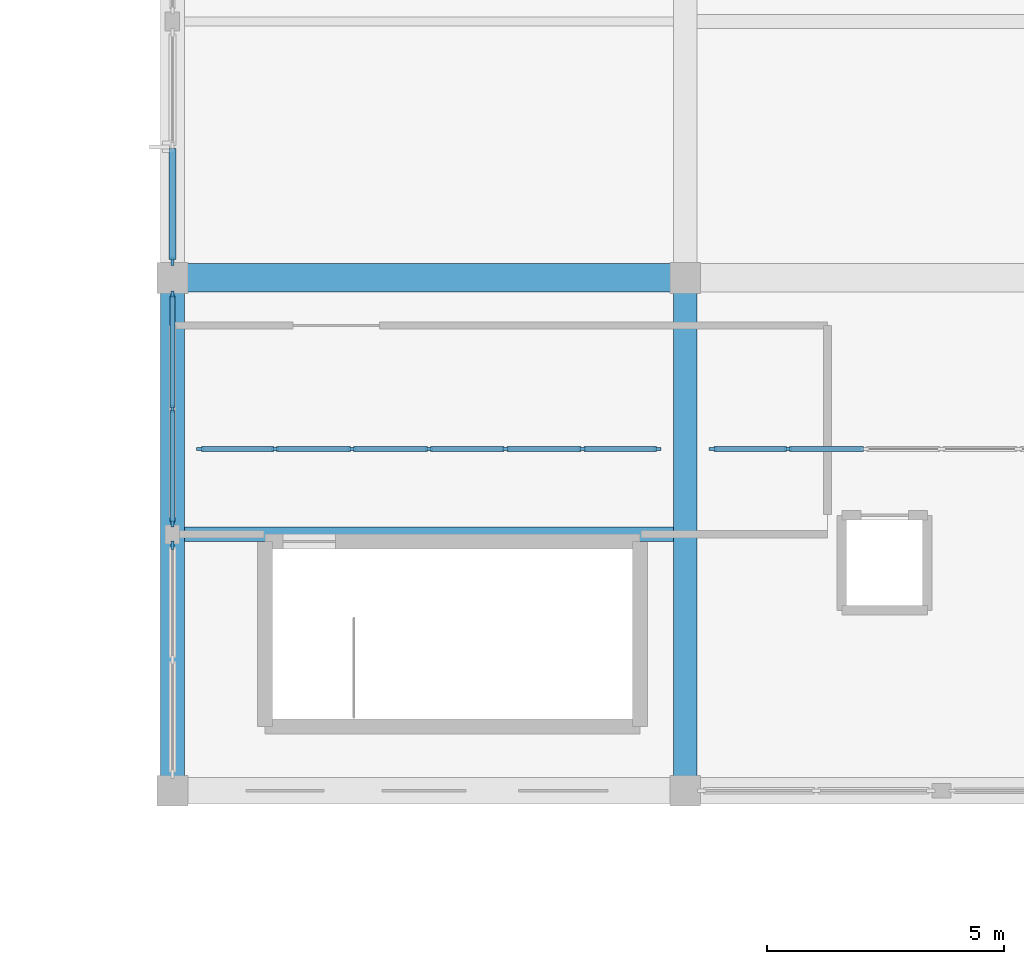
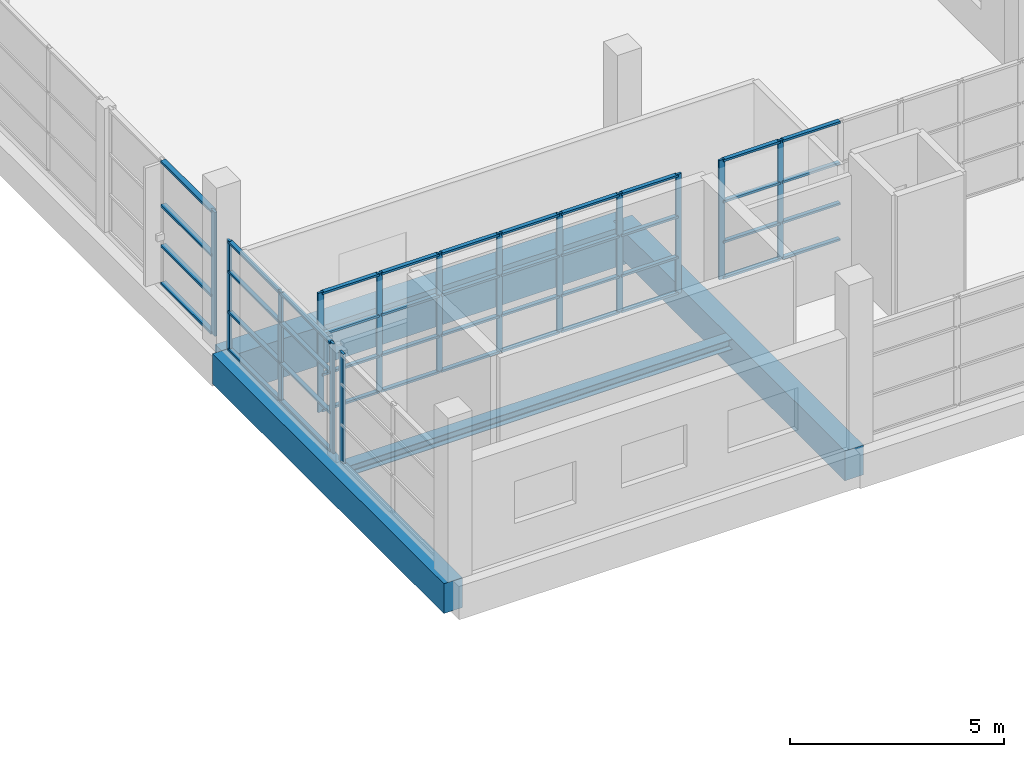
# One storey, part 23 of 142: 58 members, 4 beams, 5 elements without a shape of their own.
"""IFC4 building model written with IfcOpenShell, lengths in metres."""

from ifc_helpers import new_model, si_unit, direction, frame, origin, origin_2d, place, context, subcontext, project, spatial, rectangle, i_section, extrude, material, material_profile, profile_set, type_object, element, aggregate, save


model = new_model("IFC4")

# Units and contexts
model_context = context("Model", 3, precision=1e-05, world=origin(), true_north=direction((0.0, 1.0)))
body_context = subcontext(model_context, "Body", "Model", "MODEL_VIEW")
ifc_project = project(units=[si_unit("LENGTHUNIT", "METRE"), si_unit("AREAUNIT", "SQUARE_METRE"), si_unit("VOLUMEUNIT", "CUBIC_METRE"), si_unit("PLANEANGLEUNIT", "RADIAN"), si_unit("MASSUNIT", "GRAM", prefix="KILO")], contexts=[model_context])

# Site, building, storey
site_placement = place(None, origin())
site = spatial("IfcSite", under=ifc_project, at=site_placement, CompositionType="ELEMENT")
building_placement = place(site_placement, origin())
building = spatial("IfcBuilding", under=site, at=building_placement, Name="Zwinboog Wholesale Market", CompositionType="ELEMENT")
storey_placement = place(building_placement, frame((0.0, 0.0, 5.39990234375)))
storey = spatial("IfcBuildingStorey", under=building, at=storey_placement, Name="L01", CompositionType="ELEMENT", Elevation=5.39990234375)

# Beams
ifc_material_1 = material(Name="Precast concrete C45/55", Category="concrete")
ifc_material_profile_1 = material_profile(ifc_material_1, rectangle(XDim=0.60009765625, YDim=1.10009765625, at=origin_2d()), Name="PC 600x1100")
ifc_profile_set_1 = profile_set([ifc_material_profile_1], Name="Precast concrete C45/55")
beam_type_1 = type_object("IfcBeamType", Name="BT-01", PredefinedType="BEAM", material=ifc_profile_set_1)
beam_1_placement = place(storey_placement, frame((64.800048828125, 54.0, -0.804931640625), z_axis=(1.0, 0.0, 0.0), x_axis=(0.0, 1.0, 0.0)))
element("IfcBeam", 1, at=beam_1_placement, inside=storey, type_object=beam_type_1, Name="BG-01 (BMG-L01-0648-0540-0479)", PredefinedType="BEAM", context=body_context, shape_type="SweptSolid", body=[
    extrude(rectangle(XDim=0.60009765625, YDim=1.10009765625, at=origin_2d()), origin(), (0.0, 0.0, 1.0), 10.800048828125),
])
ifc_material_profile_2 = material_profile(ifc_material_1, rectangle(XDim=0.5, YDim=0.85009765625, at=origin_2d()), Name="PC 500x850")
ifc_profile_set_2 = profile_set([ifc_material_profile_2], Name="Precast concrete C45/55")
beam_type_2 = type_object("IfcBeamType", Name="BT-03", PredefinedType="BEAM", material=ifc_profile_set_2)
for number, where, z_axis, x_axis, name in (
    (2, (64.800048828125, 43.199951171875, -0.679931640625), (0.0, 1.0, 0.0), (-1.0, 0.0, 0.0), "BG-03 (BMG-L01-0648-0432-0665)"),
    (3, (75.60009765625, 43.199951171875, -0.679931640625), (0.0, 1.0, 0.0), (-1.0, 0.0, 0.0), "BG-03 (BMG-L01-0756-0432-0673)"),
):
    element("IfcBeam", number, at=place(storey_placement, frame(where, z_axis=z_axis, x_axis=x_axis)), inside=storey, type_object=beam_type_2, Name=name, PredefinedType="BEAM", context=body_context, shape_type="SweptSolid", body=[
        extrude(rectangle(XDim=0.5, YDim=0.85009765625, at=origin_2d()), origin(), (0.0, 0.0, 1.0), 10.800048828125),
    ])
ifc_material_2 = material(Name="Steel S355", Category="steel")
ifc_material_profile_3 = material_profile(ifc_material_2, i_section(OverallWidth=0.300048828125, OverallDepth=0.2900390625, WebThickness=0.008544921875, FlangeThickness=0.013916015625, FilletRadius=0.027099609375, at=origin_2d()), Name="HEA 300")
ifc_profile_set_3 = profile_set([ifc_material_profile_3], Name="Steel S355")
beam_type_3 = type_object("IfcBeamType", Name="BT-18", PredefinedType="JOIST", material=ifc_profile_set_3)
beam_2_placement = place(storey_placement, frame((65.050048828125, 48.60009765625, -0.39990234375), z_axis=(1.0, 0.0, 0.0), x_axis=(0.0, 1.0, 0.0)))
element("IfcBeam", 4, at=beam_2_placement, inside=storey, type_object=beam_type_3, Name="SJ-01 (BMG-L01-0650-0486-0817)", PredefinedType="JOIST", context=body_context, shape_type="SweptSolid", body=[
    extrude(i_section(OverallWidth=0.300048828125, OverallDepth=0.2900390625, WebThickness=0.008544921875, FlangeThickness=0.013916015625, FilletRadius=0.027099609375, at=origin_2d()), origin(), (0.0, 0.0, 1.0), 10.300048828125),
])

# Curtain wall, member
ifc_material_3 = material(Name="Aluminium thermally broken curtain wall", Category="aluminium")
curtain_wall_type_1 = type_object("IfcCurtainWallType", Name="CWT-STALL-18", PredefinedType="USERDEFINED", material=ifc_material_3)
curtain_wall_1_placement = place(storey_placement, origin())
curtain_wall_1 = element("IfcCurtainWall", 5, at=curtain_wall_1_placement, inside=storey, type_object=curtain_wall_type_1, Name="CW-01 (CW-L01-085)", ObjectType="STOREFRONT_GLAZING", PredefinedType="USERDEFINED")
ifc_material_4 = material(Name="Aluminium EN AW-6060", Category="aluminium")
ifc_material_profile_4 = material_profile(ifc_material_4, rectangle(XDim=0.06494140625, YDim=0.179931640625, at=origin_2d()), Name="AL 65x180")
ifc_profile_set_4 = profile_set([ifc_material_profile_4], Name="Aluminium EN AW-6060")
member_type_1 = type_object("IfcMemberType", Name="CWM-65x180", PredefinedType="MULLION", material=ifc_profile_set_4)
member_1_placement = place(storey_placement, frame((64.800048828125, 48.367431640625, 0.0), z_axis=(0.0, 0.0, 1.0), x_axis=(-1.0, 0.0, 0.0)))
member_1 = element("IfcMember", 6, at=member_1_placement, type_object=member_type_1, Name="CW-01 mullion 3", PredefinedType="MULLION", context=body_context, shape_type="SweptSolid", body=[
    extrude(rectangle(XDim=0.06494140625, YDim=0.179931640625, at=origin_2d()), origin(), (0.0, 0.0, 1.0), 3.1201171875),
])
aggregate(curtain_wall_1, [member_1])

curtain_wall_type_2 = type_object("IfcCurtainWallType", Name="CWT-HALL-24", PredefinedType="USERDEFINED", material=ifc_material_3)
curtain_wall_2_placement = place(storey_placement, origin())
curtain_wall_2 = element("IfcCurtainWall", 7, at=curtain_wall_2_placement, inside=storey, type_object=curtain_wall_type_2, Name="CW-03 (CW-L01-087)", ObjectType="UNITIZED_CURTAIN_WALL", PredefinedType="USERDEFINED")
member_2_placement = place(storey_placement, frame((64.800048828125, 54.3525390625, 0.0), z_axis=(0.0, 0.0, 1.0), x_axis=(-1.0, 0.0, 0.0)))
member_2 = element("IfcMember", 8, at=member_2_placement, type_object=member_type_1, Name="CW-03 mullion 1", PredefinedType="MULLION", context=body_context, shape_type="SweptSolid", body=[
    extrude(rectangle(XDim=0.06494140625, YDim=0.179931640625, at=origin_2d()), origin(), (0.0, 0.0, 1.0), 3.530029296875),
])

# Curtain wall, members
curtain_wall_type_3 = type_object("IfcCurtainWallType", Name="CWT-STALL-20", PredefinedType="USERDEFINED", material=ifc_material_3)
curtain_wall_3_placement = place(storey_placement, origin())
curtain_wall_3 = element("IfcCurtainWall", 9, at=curtain_wall_3_placement, inside=storey, type_object=curtain_wall_type_3, Name="CW-02 (CW-L01-086)", ObjectType="STOREFRONT_GLAZING", PredefinedType="USERDEFINED")
ifc_material_profile_5 = material_profile(ifc_material_4, rectangle(XDim=0.06005859375, YDim=0.14990234375, at=origin_2d()), Name="AL 60x150")
ifc_profile_set_5 = profile_set([ifc_material_profile_5], Name="Aluminium EN AW-6060")
member_type_2 = type_object("IfcMemberType", Name="CWM-60x150", PredefinedType="MULLION", material=ifc_profile_set_5)
member_3_placement = place(storey_placement, frame((64.800048828125, 48.830078125, 0.0), z_axis=(0.0, 0.0, 1.0), x_axis=(-1.0, 0.0, 0.0)))
member_3 = element("IfcMember", 10, at=member_3_placement, type_object=member_type_2, Name="CW-02 mullion 1", PredefinedType="MULLION", context=body_context, shape_type="SweptSolid", body=[
    extrude(rectangle(XDim=0.06005859375, YDim=0.14990234375, at=origin_2d()), origin(), (0.0, 0.0, 1.0), 3.1201171875),
])
member_4_placement = place(storey_placement, frame((64.800048828125, 51.239990234375, 0.0), z_axis=(0.0, 0.0, 1.0), x_axis=(-1.0, 0.0, 0.0)))
member_4 = element("IfcMember", 11, at=member_4_placement, type_object=member_type_2, Name="CW-02 mullion 2", PredefinedType="MULLION", context=body_context, shape_type="SweptSolid", body=[
    extrude(rectangle(XDim=0.06005859375, YDim=0.14990234375, at=origin_2d()), origin(), (0.0, 0.0, 1.0), 3.1201171875),
])
member_5_placement = place(storey_placement, frame((64.800048828125, 53.64990234375, 0.0), z_axis=(0.0, 0.0, 1.0), x_axis=(-1.0, 0.0, 0.0)))
member_5 = element("IfcMember", 12, at=member_5_placement, type_object=member_type_2, Name="CW-02 mullion 3", PredefinedType="MULLION", context=body_context, shape_type="SweptSolid", body=[
    extrude(rectangle(XDim=0.06005859375, YDim=0.14990234375, at=origin_2d()), origin(), (0.0, 0.0, 1.0), 3.1201171875),
])

# Member
ifc_material_profile_6 = material_profile(ifc_material_4, rectangle(XDim=0.139892578125, YDim=0.06494140625, at=origin_2d()), Name="AL 65x140")
ifc_profile_set_6 = profile_set([ifc_material_profile_6], Name="Aluminium EN AW-6060")
member_type_3 = type_object("IfcMemberType", Name="CWT-65x140", PredefinedType="USERDEFINED", material=ifc_profile_set_6)
member_6_placement = place(storey_placement, frame((64.800048828125, 54.385009765625, 0.03271484375), z_axis=(0.0, 1.0, 0.0), x_axis=(-1.0, 0.0, 0.0)))
member_6 = element("IfcMember", 13, at=member_6_placement, type_object=member_type_3, Name="CW-03 transom 1.1", ObjectType="TRANSOM", PredefinedType="USERDEFINED", context=body_context, shape_type="SweptSolid", body=[
    extrude(rectangle(XDim=0.139892578125, YDim=0.06494140625, at=origin_2d()), origin(), (0.0, 0.0, 1.0), 2.342529296875),
])

member_7_placement = place(storey_placement, frame((64.800048828125, 54.385009765625, 1.10009765625), z_axis=(0.0, 1.0, 0.0), x_axis=(-1.0, 0.0, 0.0)))
member_7 = element("IfcMember", 14, at=member_7_placement, type_object=member_type_3, Name="CW-03 transom 1.2", ObjectType="TRANSOM", PredefinedType="USERDEFINED", context=body_context, shape_type="SweptSolid", body=[
    extrude(rectangle(XDim=0.139892578125, YDim=0.06494140625, at=origin_2d()), origin(), (0.0, 0.0, 1.0), 2.342529296875),
])

member_8_placement = place(storey_placement, frame((64.800048828125, 54.385009765625, 2.25), z_axis=(0.0, 1.0, 0.0), x_axis=(-1.0, 0.0, 0.0)))
member_8 = element("IfcMember", 15, at=member_8_placement, type_object=member_type_3, Name="CW-03 transom 1.3", ObjectType="TRANSOM", PredefinedType="USERDEFINED", context=body_context, shape_type="SweptSolid", body=[
    extrude(rectangle(XDim=0.139892578125, YDim=0.06494140625, at=origin_2d()), origin(), (0.0, 0.0, 1.0), 2.342529296875),
])

member_9_placement = place(storey_placement, frame((64.800048828125, 54.385009765625, 3.49755859375), z_axis=(0.0, 1.0, 0.0), x_axis=(-1.0, 0.0, 0.0)))
member_9 = element("IfcMember", 16, at=member_9_placement, type_object=member_type_3, Name="CW-03 transom 1.4", ObjectType="TRANSOM", PredefinedType="USERDEFINED", context=body_context, shape_type="SweptSolid", body=[
    extrude(rectangle(XDim=0.139892578125, YDim=0.06494140625, at=origin_2d()), origin(), (0.0, 0.0, 1.0), 2.342529296875),
])

aggregate(curtain_wall_2, [member_2, member_6, member_7, member_8, member_9])

ifc_material_profile_7 = material_profile(ifc_material_4, rectangle(XDim=0.110107421875, YDim=0.06005859375, at=origin_2d()), Name="AL 60x110")
ifc_profile_set_7 = profile_set([ifc_material_profile_7], Name="Aluminium EN AW-6060")
member_type_4 = type_object("IfcMemberType", Name="CWT-60x110", PredefinedType="USERDEFINED", material=ifc_profile_set_7)
member_10_placement = place(storey_placement, frame((64.800048828125, 48.860107421875, 0.030029296875), z_axis=(0.0, 1.0, 0.0), x_axis=(-1.0, 0.0, 0.0)))
member_10 = element("IfcMember", 17, at=member_10_placement, type_object=member_type_4, Name="CW-02 transom 1.1", ObjectType="TRANSOM", PredefinedType="USERDEFINED", context=body_context, shape_type="SweptSolid", body=[
    extrude(rectangle(XDim=0.110107421875, YDim=0.06005859375, at=origin_2d()), origin(), (0.0, 0.0, 1.0), 2.349853515625),
])

member_11_placement = place(storey_placement, frame((64.800048828125, 48.860107421875, 1.10009765625), z_axis=(0.0, 1.0, 0.0), x_axis=(-1.0, 0.0, 0.0)))
member_11 = element("IfcMember", 18, at=member_11_placement, type_object=member_type_4, Name="CW-02 transom 1.2", ObjectType="TRANSOM", PredefinedType="USERDEFINED", context=body_context, shape_type="SweptSolid", body=[
    extrude(rectangle(XDim=0.110107421875, YDim=0.06005859375, at=origin_2d()), origin(), (0.0, 0.0, 1.0), 2.349853515625),
])

member_12_placement = place(storey_placement, frame((64.800048828125, 48.860107421875, 2.25), z_axis=(0.0, 1.0, 0.0), x_axis=(-1.0, 0.0, 0.0)))
member_12 = element("IfcMember", 19, at=member_12_placement, type_object=member_type_4, Name="CW-02 transom 1.3", ObjectType="TRANSOM", PredefinedType="USERDEFINED", context=body_context, shape_type="SweptSolid", body=[
    extrude(rectangle(XDim=0.110107421875, YDim=0.06005859375, at=origin_2d()), origin(), (0.0, 0.0, 1.0), 2.349853515625),
])

member_13_placement = place(storey_placement, frame((64.800048828125, 48.860107421875, 3.090087890625), z_axis=(0.0, 1.0, 0.0), x_axis=(-1.0, 0.0, 0.0)))
member_13 = element("IfcMember", 20, at=member_13_placement, type_object=member_type_4, Name="CW-02 transom 1.4", ObjectType="TRANSOM", PredefinedType="USERDEFINED", context=body_context, shape_type="SweptSolid", body=[
    extrude(rectangle(XDim=0.110107421875, YDim=0.06005859375, at=origin_2d()), origin(), (0.0, 0.0, 1.0), 2.349853515625),
])

member_14_placement = place(storey_placement, frame((64.800048828125, 51.27001953125, 0.030029296875), z_axis=(0.0, 1.0, 0.0), x_axis=(-1.0, 0.0, 0.0)))
member_14 = element("IfcMember", 21, at=member_14_placement, type_object=member_type_4, Name="CW-02 transom 2.1", ObjectType="TRANSOM", PredefinedType="USERDEFINED", context=body_context, shape_type="SweptSolid", body=[
    extrude(rectangle(XDim=0.110107421875, YDim=0.06005859375, at=origin_2d()), origin(), (0.0, 0.0, 1.0), 2.35009765625),
])

member_15_placement = place(storey_placement, frame((64.800048828125, 51.27001953125, 1.10009765625), z_axis=(0.0, 1.0, 0.0), x_axis=(-1.0, 0.0, 0.0)))
member_15 = element("IfcMember", 22, at=member_15_placement, type_object=member_type_4, Name="CW-02 transom 2.2", ObjectType="TRANSOM", PredefinedType="USERDEFINED", context=body_context, shape_type="SweptSolid", body=[
    extrude(rectangle(XDim=0.110107421875, YDim=0.06005859375, at=origin_2d()), origin(), (0.0, 0.0, 1.0), 2.35009765625),
])

member_16_placement = place(storey_placement, frame((64.800048828125, 51.27001953125, 2.25), z_axis=(0.0, 1.0, 0.0), x_axis=(-1.0, 0.0, 0.0)))
member_16 = element("IfcMember", 23, at=member_16_placement, type_object=member_type_4, Name="CW-02 transom 2.3", ObjectType="TRANSOM", PredefinedType="USERDEFINED", context=body_context, shape_type="SweptSolid", body=[
    extrude(rectangle(XDim=0.110107421875, YDim=0.06005859375, at=origin_2d()), origin(), (0.0, 0.0, 1.0), 2.35009765625),
])

member_17_placement = place(storey_placement, frame((64.800048828125, 51.27001953125, 3.090087890625), z_axis=(0.0, 1.0, 0.0), x_axis=(-1.0, 0.0, 0.0)))
member_17 = element("IfcMember", 24, at=member_17_placement, type_object=member_type_4, Name="CW-02 transom 2.4", ObjectType="TRANSOM", PredefinedType="USERDEFINED", context=body_context, shape_type="SweptSolid", body=[
    extrude(rectangle(XDim=0.110107421875, YDim=0.06005859375, at=origin_2d()), origin(), (0.0, 0.0, 1.0), 2.35009765625),
])

aggregate(curtain_wall_3, [member_3, member_4, member_5, member_10, member_11, member_12, member_13, member_14, member_15, member_16, member_17])

# Curtain wall, members
curtain_wall_type_4 = type_object("IfcCurtainWallType", Name="CWT-INT-STALL", PredefinedType="USERDEFINED", material=ifc_material_3)
curtain_wall_4_placement = place(storey_placement, origin())
curtain_wall_4 = element("IfcCurtainWall", 25, at=curtain_wall_4_placement, inside=storey, type_object=curtain_wall_type_4, Name="CW-07 (CW-STL-225)", ObjectType="STOREFRONT_GLAZING", PredefinedType="USERDEFINED")
ifc_material_profile_8 = material_profile(ifc_material_4, rectangle(XDim=0.06005859375, YDim=0.14990234375, at=origin_2d()), Name="AL 60x150")
ifc_profile_set_8 = profile_set([ifc_material_profile_8], Name="Aluminium EN AW-6060")
member_type_5 = type_object("IfcMemberType", Name="CWM-INT-60x120", PredefinedType="MULLION", material=ifc_profile_set_8)
member_18_placement = place(storey_placement, frame((65.3798828125, 50.39990234375, 0.0), z_axis=(0.0, 0.0, 1.0), x_axis=(0.0, 1.0, 0.0)))
member_18 = element("IfcMember", 26, at=member_18_placement, type_object=member_type_5, Name="CW-07 mullion 1", PredefinedType="MULLION", context=body_context, shape_type="SweptSolid", body=[
    extrude(rectangle(XDim=0.06005859375, YDim=0.14990234375, at=origin_2d()), origin(), (0.0, 0.0, 1.0), 3.400146484375),
])
member_19_placement = place(storey_placement, frame((66.966552734375, 50.39990234375, 0.0), z_axis=(0.0, 0.0, 1.0), x_axis=(0.0, 1.0, 0.0)))
member_19 = element("IfcMember", 27, at=member_19_placement, type_object=member_type_5, Name="CW-07 mullion 2", PredefinedType="MULLION", context=body_context, shape_type="SweptSolid", body=[
    extrude(rectangle(XDim=0.06005859375, YDim=0.14990234375, at=origin_2d()), origin(), (0.0, 0.0, 1.0), 3.400146484375),
])
member_20_placement = place(storey_placement, frame((68.583251953125, 50.39990234375, 0.0), z_axis=(0.0, 0.0, 1.0), x_axis=(0.0, 1.0, 0.0)))
member_20 = element("IfcMember", 28, at=member_20_placement, type_object=member_type_5, Name="CW-07 mullion 3", PredefinedType="MULLION", context=body_context, shape_type="SweptSolid", body=[
    extrude(rectangle(XDim=0.06005859375, YDim=0.14990234375, at=origin_2d()), origin(), (0.0, 0.0, 1.0), 3.400146484375),
])
member_21_placement = place(storey_placement, frame((70.199951171875, 50.39990234375, 0.0), z_axis=(0.0, 0.0, 1.0), x_axis=(0.0, 1.0, 0.0)))
member_21 = element("IfcMember", 29, at=member_21_placement, type_object=member_type_5, Name="CW-07 mullion 4", PredefinedType="MULLION", context=body_context, shape_type="SweptSolid", body=[
    extrude(rectangle(XDim=0.06005859375, YDim=0.14990234375, at=origin_2d()), origin(), (0.0, 0.0, 1.0), 3.400146484375),
])
member_22_placement = place(storey_placement, frame((71.816650390625, 50.39990234375, 0.0), z_axis=(0.0, 0.0, 1.0), x_axis=(0.0, 1.0, 0.0)))
member_22 = element("IfcMember", 30, at=member_22_placement, type_object=member_type_5, Name="CW-07 mullion 5", PredefinedType="MULLION", context=body_context, shape_type="SweptSolid", body=[
    extrude(rectangle(XDim=0.06005859375, YDim=0.14990234375, at=origin_2d()), origin(), (0.0, 0.0, 1.0), 3.400146484375),
])
member_23_placement = place(storey_placement, frame((73.433349609375, 50.39990234375, 0.0), z_axis=(0.0, 0.0, 1.0), x_axis=(0.0, 1.0, 0.0)))
member_23 = element("IfcMember", 31, at=member_23_placement, type_object=member_type_5, Name="CW-07 mullion 6", PredefinedType="MULLION", context=body_context, shape_type="SweptSolid", body=[
    extrude(rectangle(XDim=0.06005859375, YDim=0.14990234375, at=origin_2d()), origin(), (0.0, 0.0, 1.0), 3.400146484375),
])
member_24_placement = place(storey_placement, frame((75.02001953125, 50.39990234375, 0.0), z_axis=(0.0, 0.0, 1.0), x_axis=(0.0, 1.0, 0.0)))
member_24 = element("IfcMember", 32, at=member_24_placement, type_object=member_type_5, Name="CW-07 mullion 7", PredefinedType="MULLION", context=body_context, shape_type="SweptSolid", body=[
    extrude(rectangle(XDim=0.06005859375, YDim=0.14990234375, at=origin_2d()), origin(), (0.0, 0.0, 1.0), 3.400146484375),
])

curtain_wall_5_placement = place(storey_placement, origin())
curtain_wall_5 = element("IfcCurtainWall", 33, at=curtain_wall_5_placement, inside=storey, type_object=curtain_wall_type_4, Name="CW-07 (CW-STL-226)", ObjectType="STOREFRONT_GLAZING", PredefinedType="USERDEFINED")
member_25_placement = place(storey_placement, frame((76.179931640625, 50.39990234375, 0.0), z_axis=(0.0, 0.0, 1.0), x_axis=(0.0, 1.0, 0.0)))
member_25 = element("IfcMember", 34, at=member_25_placement, type_object=member_type_5, Name="CW-07 mullion 1", PredefinedType="MULLION", context=body_context, shape_type="SweptSolid", body=[
    extrude(rectangle(XDim=0.06005859375, YDim=0.14990234375, at=origin_2d()), origin(), (0.0, 0.0, 1.0), 3.400146484375),
])
member_26_placement = place(storey_placement, frame((77.7666015625, 50.39990234375, 0.0), z_axis=(0.0, 0.0, 1.0), x_axis=(0.0, 1.0, 0.0)))
member_26 = element("IfcMember", 35, at=member_26_placement, type_object=member_type_5, Name="CW-07 mullion 2", PredefinedType="MULLION", context=body_context, shape_type="SweptSolid", body=[
    extrude(rectangle(XDim=0.06005859375, YDim=0.14990234375, at=origin_2d()), origin(), (0.0, 0.0, 1.0), 3.400146484375),
])

# Member
ifc_material_profile_9 = material_profile(ifc_material_4, rectangle(XDim=0.110107421875, YDim=0.06005859375, at=origin_2d()), Name="AL 60x110")
ifc_profile_set_9 = profile_set([ifc_material_profile_9], Name="Aluminium EN AW-6060")
member_type_6 = type_object("IfcMemberType", Name="CWT-INT-60x100", PredefinedType="USERDEFINED", material=ifc_profile_set_9)
member_27_placement = place(storey_placement, frame((65.409912109375, 50.39990234375, 0.030029296875), z_axis=(1.0, 0.0, 0.0), x_axis=(0.0, 1.0, 0.0)))
member_27 = element("IfcMember", 36, at=member_27_placement, type_object=member_type_6, Name="CW-07 transom 1.1", ObjectType="TRANSOM", PredefinedType="USERDEFINED", context=body_context, shape_type="SweptSolid", body=[
    extrude(rectangle(XDim=0.110107421875, YDim=0.06005859375, at=origin_2d()), origin(), (0.0, 0.0, 1.0), 1.52685546875),
])

member_28_placement = place(storey_placement, frame((65.409912109375, 50.39990234375, 1.050048828125), z_axis=(1.0, 0.0, 0.0), x_axis=(0.0, 1.0, 0.0)))
member_28 = element("IfcMember", 37, at=member_28_placement, type_object=member_type_6, Name="CW-07 transom 1.2", ObjectType="TRANSOM", PredefinedType="USERDEFINED", context=body_context, shape_type="SweptSolid", body=[
    extrude(rectangle(XDim=0.110107421875, YDim=0.06005859375, at=origin_2d()), origin(), (0.0, 0.0, 1.0), 1.52685546875),
])

member_29_placement = place(storey_placement, frame((65.409912109375, 50.39990234375, 2.2001953125), z_axis=(1.0, 0.0, 0.0), x_axis=(0.0, 1.0, 0.0)))
member_29 = element("IfcMember", 38, at=member_29_placement, type_object=member_type_6, Name="CW-07 transom 1.3", ObjectType="TRANSOM", PredefinedType="USERDEFINED", context=body_context, shape_type="SweptSolid", body=[
    extrude(rectangle(XDim=0.110107421875, YDim=0.06005859375, at=origin_2d()), origin(), (0.0, 0.0, 1.0), 1.52685546875),
])

member_30_placement = place(storey_placement, frame((65.409912109375, 50.39990234375, 3.3701171875), z_axis=(1.0, 0.0, 0.0), x_axis=(0.0, 1.0, 0.0)))
member_30 = element("IfcMember", 39, at=member_30_placement, type_object=member_type_6, Name="CW-07 transom 1.4", ObjectType="TRANSOM", PredefinedType="USERDEFINED", context=body_context, shape_type="SweptSolid", body=[
    extrude(rectangle(XDim=0.110107421875, YDim=0.06005859375, at=origin_2d()), origin(), (0.0, 0.0, 1.0), 1.52685546875),
])

member_31_placement = place(storey_placement, frame((66.99658203125, 50.39990234375, 0.030029296875), z_axis=(1.0, 0.0, 0.0), x_axis=(0.0, 1.0, 0.0)))
member_31 = element("IfcMember", 40, at=member_31_placement, type_object=member_type_6, Name="CW-07 transom 2.1", ObjectType="TRANSOM", PredefinedType="USERDEFINED", context=body_context, shape_type="SweptSolid", body=[
    extrude(rectangle(XDim=0.110107421875, YDim=0.06005859375, at=origin_2d()), origin(), (0.0, 0.0, 1.0), 1.556640625),
])

member_32_placement = place(storey_placement, frame((66.99658203125, 50.39990234375, 1.050048828125), z_axis=(1.0, 0.0, 0.0), x_axis=(0.0, 1.0, 0.0)))
member_32 = element("IfcMember", 41, at=member_32_placement, type_object=member_type_6, Name="CW-07 transom 2.2", ObjectType="TRANSOM", PredefinedType="USERDEFINED", context=body_context, shape_type="SweptSolid", body=[
    extrude(rectangle(XDim=0.110107421875, YDim=0.06005859375, at=origin_2d()), origin(), (0.0, 0.0, 1.0), 1.556640625),
])

member_33_placement = place(storey_placement, frame((66.99658203125, 50.39990234375, 2.2001953125), z_axis=(1.0, 0.0, 0.0), x_axis=(0.0, 1.0, 0.0)))
member_33 = element("IfcMember", 42, at=member_33_placement, type_object=member_type_6, Name="CW-07 transom 2.3", ObjectType="TRANSOM", PredefinedType="USERDEFINED", context=body_context, shape_type="SweptSolid", body=[
    extrude(rectangle(XDim=0.110107421875, YDim=0.06005859375, at=origin_2d()), origin(), (0.0, 0.0, 1.0), 1.556640625),
])

member_34_placement = place(storey_placement, frame((66.99658203125, 50.39990234375, 3.3701171875), z_axis=(1.0, 0.0, 0.0), x_axis=(0.0, 1.0, 0.0)))
member_34 = element("IfcMember", 43, at=member_34_placement, type_object=member_type_6, Name="CW-07 transom 2.4", ObjectType="TRANSOM", PredefinedType="USERDEFINED", context=body_context, shape_type="SweptSolid", body=[
    extrude(rectangle(XDim=0.110107421875, YDim=0.06005859375, at=origin_2d()), origin(), (0.0, 0.0, 1.0), 1.556640625),
])

member_35_placement = place(storey_placement, frame((68.61328125, 50.39990234375, 0.030029296875), z_axis=(1.0, 0.0, 0.0), x_axis=(0.0, 1.0, 0.0)))
member_35 = element("IfcMember", 44, at=member_35_placement, type_object=member_type_6, Name="CW-07 transom 3.1", ObjectType="TRANSOM", PredefinedType="USERDEFINED", context=body_context, shape_type="SweptSolid", body=[
    extrude(rectangle(XDim=0.110107421875, YDim=0.06005859375, at=origin_2d()), origin(), (0.0, 0.0, 1.0), 1.556640625),
])

member_36_placement = place(storey_placement, frame((68.61328125, 50.39990234375, 1.050048828125), z_axis=(1.0, 0.0, 0.0), x_axis=(0.0, 1.0, 0.0)))
member_36 = element("IfcMember", 45, at=member_36_placement, type_object=member_type_6, Name="CW-07 transom 3.2", ObjectType="TRANSOM", PredefinedType="USERDEFINED", context=body_context, shape_type="SweptSolid", body=[
    extrude(rectangle(XDim=0.110107421875, YDim=0.06005859375, at=origin_2d()), origin(), (0.0, 0.0, 1.0), 1.556640625),
])

member_37_placement = place(storey_placement, frame((68.61328125, 50.39990234375, 2.2001953125), z_axis=(1.0, 0.0, 0.0), x_axis=(0.0, 1.0, 0.0)))
member_37 = element("IfcMember", 46, at=member_37_placement, type_object=member_type_6, Name="CW-07 transom 3.3", ObjectType="TRANSOM", PredefinedType="USERDEFINED", context=body_context, shape_type="SweptSolid", body=[
    extrude(rectangle(XDim=0.110107421875, YDim=0.06005859375, at=origin_2d()), origin(), (0.0, 0.0, 1.0), 1.556640625),
])

member_38_placement = place(storey_placement, frame((68.61328125, 50.39990234375, 3.3701171875), z_axis=(1.0, 0.0, 0.0), x_axis=(0.0, 1.0, 0.0)))
member_38 = element("IfcMember", 47, at=member_38_placement, type_object=member_type_6, Name="CW-07 transom 3.4", ObjectType="TRANSOM", PredefinedType="USERDEFINED", context=body_context, shape_type="SweptSolid", body=[
    extrude(rectangle(XDim=0.110107421875, YDim=0.06005859375, at=origin_2d()), origin(), (0.0, 0.0, 1.0), 1.556640625),
])

member_39_placement = place(storey_placement, frame((70.22998046875, 50.39990234375, 0.030029296875), z_axis=(1.0, 0.0, 0.0), x_axis=(0.0, 1.0, 0.0)))
member_39 = element("IfcMember", 48, at=member_39_placement, type_object=member_type_6, Name="CW-07 transom 4.1", ObjectType="TRANSOM", PredefinedType="USERDEFINED", context=body_context, shape_type="SweptSolid", body=[
    extrude(rectangle(XDim=0.110107421875, YDim=0.06005859375, at=origin_2d()), origin(), (0.0, 0.0, 1.0), 1.556640625),
])

member_40_placement = place(storey_placement, frame((70.22998046875, 50.39990234375, 1.050048828125), z_axis=(1.0, 0.0, 0.0), x_axis=(0.0, 1.0, 0.0)))
member_40 = element("IfcMember", 49, at=member_40_placement, type_object=member_type_6, Name="CW-07 transom 4.2", ObjectType="TRANSOM", PredefinedType="USERDEFINED", context=body_context, shape_type="SweptSolid", body=[
    extrude(rectangle(XDim=0.110107421875, YDim=0.06005859375, at=origin_2d()), origin(), (0.0, 0.0, 1.0), 1.556640625),
])

member_41_placement = place(storey_placement, frame((70.22998046875, 50.39990234375, 2.2001953125), z_axis=(1.0, 0.0, 0.0), x_axis=(0.0, 1.0, 0.0)))
member_41 = element("IfcMember", 50, at=member_41_placement, type_object=member_type_6, Name="CW-07 transom 4.3", ObjectType="TRANSOM", PredefinedType="USERDEFINED", context=body_context, shape_type="SweptSolid", body=[
    extrude(rectangle(XDim=0.110107421875, YDim=0.06005859375, at=origin_2d()), origin(), (0.0, 0.0, 1.0), 1.556640625),
])

member_42_placement = place(storey_placement, frame((70.22998046875, 50.39990234375, 3.3701171875), z_axis=(1.0, 0.0, 0.0), x_axis=(0.0, 1.0, 0.0)))
member_42 = element("IfcMember", 51, at=member_42_placement, type_object=member_type_6, Name="CW-07 transom 4.4", ObjectType="TRANSOM", PredefinedType="USERDEFINED", context=body_context, shape_type="SweptSolid", body=[
    extrude(rectangle(XDim=0.110107421875, YDim=0.06005859375, at=origin_2d()), origin(), (0.0, 0.0, 1.0), 1.556640625),
])

member_43_placement = place(storey_placement, frame((71.8466796875, 50.39990234375, 0.030029296875), z_axis=(1.0, 0.0, 0.0), x_axis=(0.0, 1.0, 0.0)))
member_43 = element("IfcMember", 52, at=member_43_placement, type_object=member_type_6, Name="CW-07 transom 5.1", ObjectType="TRANSOM", PredefinedType="USERDEFINED", context=body_context, shape_type="SweptSolid", body=[
    extrude(rectangle(XDim=0.110107421875, YDim=0.06005859375, at=origin_2d()), origin(), (0.0, 0.0, 1.0), 1.556640625),
])

member_44_placement = place(storey_placement, frame((71.8466796875, 50.39990234375, 1.050048828125), z_axis=(1.0, 0.0, 0.0), x_axis=(0.0, 1.0, 0.0)))
member_44 = element("IfcMember", 53, at=member_44_placement, type_object=member_type_6, Name="CW-07 transom 5.2", ObjectType="TRANSOM", PredefinedType="USERDEFINED", context=body_context, shape_type="SweptSolid", body=[
    extrude(rectangle(XDim=0.110107421875, YDim=0.06005859375, at=origin_2d()), origin(), (0.0, 0.0, 1.0), 1.556640625),
])

member_45_placement = place(storey_placement, frame((71.8466796875, 50.39990234375, 2.2001953125), z_axis=(1.0, 0.0, 0.0), x_axis=(0.0, 1.0, 0.0)))
member_45 = element("IfcMember", 54, at=member_45_placement, type_object=member_type_6, Name="CW-07 transom 5.3", ObjectType="TRANSOM", PredefinedType="USERDEFINED", context=body_context, shape_type="SweptSolid", body=[
    extrude(rectangle(XDim=0.110107421875, YDim=0.06005859375, at=origin_2d()), origin(), (0.0, 0.0, 1.0), 1.556640625),
])

member_46_placement = place(storey_placement, frame((71.8466796875, 50.39990234375, 3.3701171875), z_axis=(1.0, 0.0, 0.0), x_axis=(0.0, 1.0, 0.0)))
member_46 = element("IfcMember", 55, at=member_46_placement, type_object=member_type_6, Name="CW-07 transom 5.4", ObjectType="TRANSOM", PredefinedType="USERDEFINED", context=body_context, shape_type="SweptSolid", body=[
    extrude(rectangle(XDim=0.110107421875, YDim=0.06005859375, at=origin_2d()), origin(), (0.0, 0.0, 1.0), 1.556640625),
])

member_47_placement = place(storey_placement, frame((73.46337890625, 50.39990234375, 0.030029296875), z_axis=(1.0, 0.0, 0.0), x_axis=(0.0, 1.0, 0.0)))
member_47 = element("IfcMember", 56, at=member_47_placement, type_object=member_type_6, Name="CW-07 transom 6.1", ObjectType="TRANSOM", PredefinedType="USERDEFINED", context=body_context, shape_type="SweptSolid", body=[
    extrude(rectangle(XDim=0.110107421875, YDim=0.06005859375, at=origin_2d()), origin(), (0.0, 0.0, 1.0), 1.526611328125),
])

member_48_placement = place(storey_placement, frame((73.46337890625, 50.39990234375, 1.050048828125), z_axis=(1.0, 0.0, 0.0), x_axis=(0.0, 1.0, 0.0)))
member_48 = element("IfcMember", 57, at=member_48_placement, type_object=member_type_6, Name="CW-07 transom 6.2", ObjectType="TRANSOM", PredefinedType="USERDEFINED", context=body_context, shape_type="SweptSolid", body=[
    extrude(rectangle(XDim=0.110107421875, YDim=0.06005859375, at=origin_2d()), origin(), (0.0, 0.0, 1.0), 1.526611328125),
])

member_49_placement = place(storey_placement, frame((73.46337890625, 50.39990234375, 2.2001953125), z_axis=(1.0, 0.0, 0.0), x_axis=(0.0, 1.0, 0.0)))
member_49 = element("IfcMember", 58, at=member_49_placement, type_object=member_type_6, Name="CW-07 transom 6.3", ObjectType="TRANSOM", PredefinedType="USERDEFINED", context=body_context, shape_type="SweptSolid", body=[
    extrude(rectangle(XDim=0.110107421875, YDim=0.06005859375, at=origin_2d()), origin(), (0.0, 0.0, 1.0), 1.526611328125),
])

member_50_placement = place(storey_placement, frame((73.46337890625, 50.39990234375, 3.3701171875), z_axis=(1.0, 0.0, 0.0), x_axis=(0.0, 1.0, 0.0)))
member_50 = element("IfcMember", 59, at=member_50_placement, type_object=member_type_6, Name="CW-07 transom 6.4", ObjectType="TRANSOM", PredefinedType="USERDEFINED", context=body_context, shape_type="SweptSolid", body=[
    extrude(rectangle(XDim=0.110107421875, YDim=0.06005859375, at=origin_2d()), origin(), (0.0, 0.0, 1.0), 1.526611328125),
])

aggregate(curtain_wall_4, [member_18, member_19, member_20, member_21, member_22, member_23, member_24, member_27, member_28, member_29, member_30, member_31, member_32, member_33, member_34, member_35, member_36, member_37, member_38, member_39, member_40, member_41, member_42, member_43, member_44, member_45, member_46, member_47, member_48, member_49, member_50])

member_51_placement = place(storey_placement, frame((76.2099609375, 50.39990234375, 0.030029296875), z_axis=(1.0, 0.0, 0.0), x_axis=(0.0, 1.0, 0.0)))
member_51 = element("IfcMember", 60, at=member_51_placement, type_object=member_type_6, Name="CW-07 transom 1.1", ObjectType="TRANSOM", PredefinedType="USERDEFINED", context=body_context, shape_type="SweptSolid", body=[
    extrude(rectangle(XDim=0.110107421875, YDim=0.06005859375, at=origin_2d()), origin(), (0.0, 0.0, 1.0), 1.526611328125),
])

member_52_placement = place(storey_placement, frame((76.2099609375, 50.39990234375, 1.050048828125), z_axis=(1.0, 0.0, 0.0), x_axis=(0.0, 1.0, 0.0)))
member_52 = element("IfcMember", 61, at=member_52_placement, type_object=member_type_6, Name="CW-07 transom 1.2", ObjectType="TRANSOM", PredefinedType="USERDEFINED", context=body_context, shape_type="SweptSolid", body=[
    extrude(rectangle(XDim=0.110107421875, YDim=0.06005859375, at=origin_2d()), origin(), (0.0, 0.0, 1.0), 1.526611328125),
])

member_53_placement = place(storey_placement, frame((76.2099609375, 50.39990234375, 2.2001953125), z_axis=(1.0, 0.0, 0.0), x_axis=(0.0, 1.0, 0.0)))
member_53 = element("IfcMember", 62, at=member_53_placement, type_object=member_type_6, Name="CW-07 transom 1.3", ObjectType="TRANSOM", PredefinedType="USERDEFINED", context=body_context, shape_type="SweptSolid", body=[
    extrude(rectangle(XDim=0.110107421875, YDim=0.06005859375, at=origin_2d()), origin(), (0.0, 0.0, 1.0), 1.526611328125),
])

member_54_placement = place(storey_placement, frame((76.2099609375, 50.39990234375, 3.3701171875), z_axis=(1.0, 0.0, 0.0), x_axis=(0.0, 1.0, 0.0)))
member_54 = element("IfcMember", 63, at=member_54_placement, type_object=member_type_6, Name="CW-07 transom 1.4", ObjectType="TRANSOM", PredefinedType="USERDEFINED", context=body_context, shape_type="SweptSolid", body=[
    extrude(rectangle(XDim=0.110107421875, YDim=0.06005859375, at=origin_2d()), origin(), (0.0, 0.0, 1.0), 1.526611328125),
])

member_55_placement = place(storey_placement, frame((77.796630859375, 50.39990234375, 0.030029296875), z_axis=(1.0, 0.0, 0.0), x_axis=(0.0, 1.0, 0.0)))
member_55 = element("IfcMember", 64, at=member_55_placement, type_object=member_type_6, Name="CW-07 transom 2.1", ObjectType="TRANSOM", PredefinedType="USERDEFINED", context=body_context, shape_type="SweptSolid", body=[
    extrude(rectangle(XDim=0.110107421875, YDim=0.06005859375, at=origin_2d()), origin(), (0.0, 0.0, 1.0), 1.556640625),
])

member_56_placement = place(storey_placement, frame((77.796630859375, 50.39990234375, 1.050048828125), z_axis=(1.0, 0.0, 0.0), x_axis=(0.0, 1.0, 0.0)))
member_56 = element("IfcMember", 65, at=member_56_placement, type_object=member_type_6, Name="CW-07 transom 2.2", ObjectType="TRANSOM", PredefinedType="USERDEFINED", context=body_context, shape_type="SweptSolid", body=[
    extrude(rectangle(XDim=0.110107421875, YDim=0.06005859375, at=origin_2d()), origin(), (0.0, 0.0, 1.0), 1.556640625),
])

member_57_placement = place(storey_placement, frame((77.796630859375, 50.39990234375, 2.2001953125), z_axis=(1.0, 0.0, 0.0), x_axis=(0.0, 1.0, 0.0)))
member_57 = element("IfcMember", 66, at=member_57_placement, type_object=member_type_6, Name="CW-07 transom 2.3", ObjectType="TRANSOM", PredefinedType="USERDEFINED", context=body_context, shape_type="SweptSolid", body=[
    extrude(rectangle(XDim=0.110107421875, YDim=0.06005859375, at=origin_2d()), origin(), (0.0, 0.0, 1.0), 1.556640625),
])

member_58_placement = place(storey_placement, frame((77.796630859375, 50.39990234375, 3.3701171875), z_axis=(1.0, 0.0, 0.0), x_axis=(0.0, 1.0, 0.0)))
member_58 = element("IfcMember", 67, at=member_58_placement, type_object=member_type_6, Name="CW-07 transom 2.4", ObjectType="TRANSOM", PredefinedType="USERDEFINED", context=body_context, shape_type="SweptSolid", body=[
    extrude(rectangle(XDim=0.110107421875, YDim=0.06005859375, at=origin_2d()), origin(), (0.0, 0.0, 1.0), 1.556640625),
])

aggregate(curtain_wall_5, [member_25, member_26, member_51, member_52, member_53, member_54, member_55, member_56, member_57, member_58])

save(model, "model.ifc")
